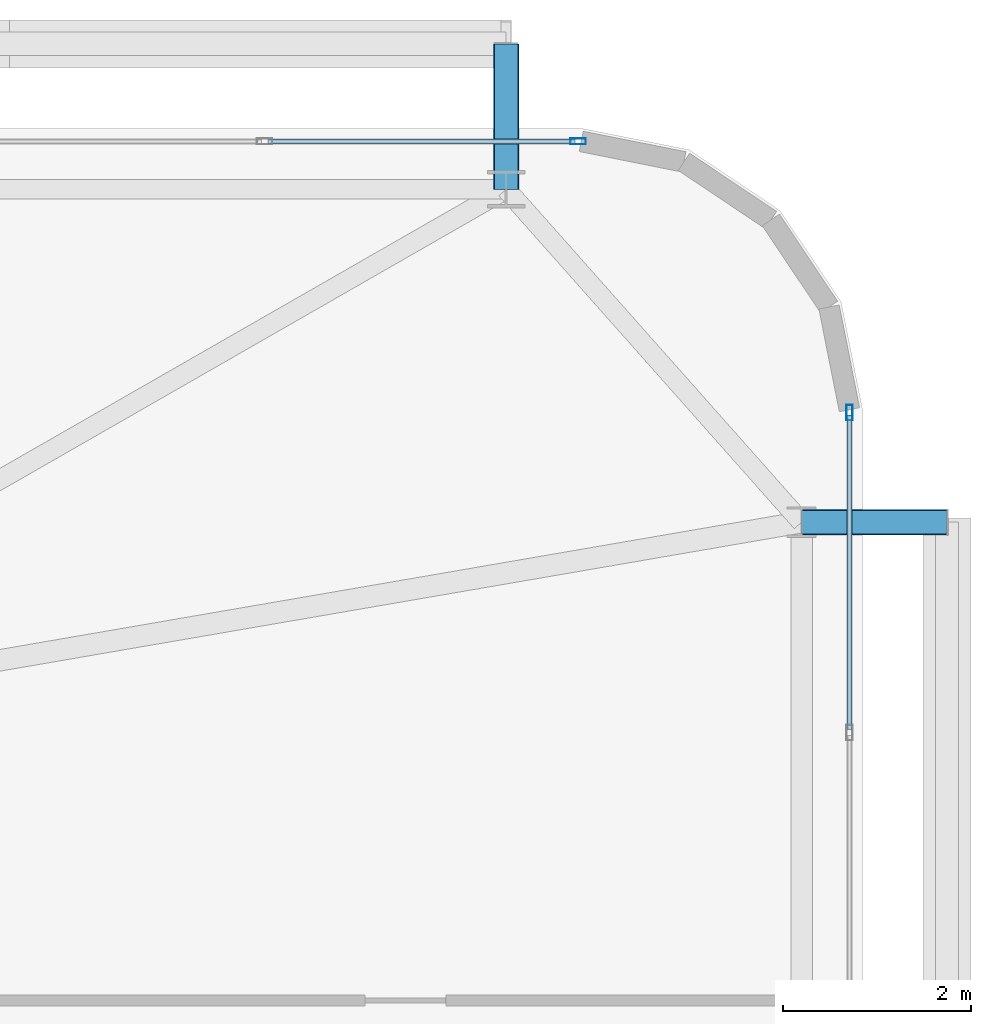
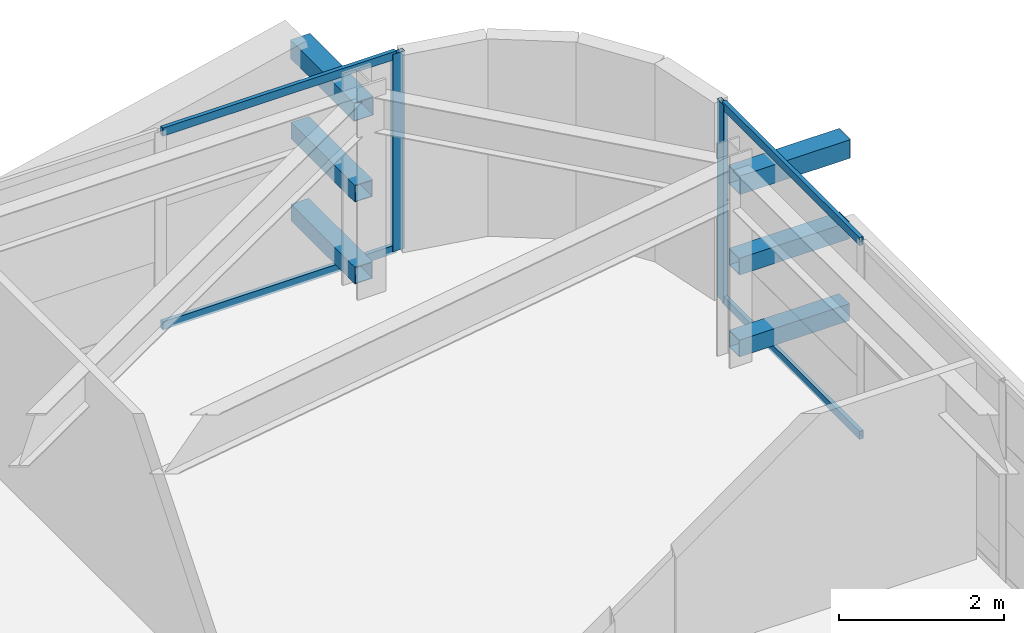
# One storey, part 41 of 59: 12 members, 2 elements without a shape of their own.
"""IFC4 building model written with IfcOpenShell, lengths in metres."""

import ifcopenshell
import ifcopenshell.guid

model = None  # the IFC model being written
_history = None  # IfcOwnerHistory: only IFC2X3 demands one
_inside = {}  # id of a spatial element -> (the spatial element, [elements in it])
_under = {}  # id of a project, library or spatial element -> (it, [spatial elements below it])
_declared = {}  # id of a project -> (the project, [libraries it declares])
_typed = {}  # id of a type object -> (the type object, [elements of that type])
_made_of = {}  # id of a material, layer set ... -> (it, [elements and type objects made of it])


def new_model(schema):
    """Start an empty IFC model of exactly this schema.

    Asked for "IFC4X3", IfcOpenShell would pick the latest addendum, in which some entities
    have other attributes; the version numbers below select the first issue.
    IFC2X3 requires an IfcOwnerHistory on every rooted entity: one is made here for all.
    """
    global model, _history
    if schema == "IFC4X3":
        model = ifcopenshell.file(schema_version=(4, 3, 0, 0))
    else:
        model = ifcopenshell.file(schema=schema)
    _inside.clear()
    _under.clear()
    _declared.clear()
    _typed.clear()
    _made_of.clear()
    _history = None
    if model.schema == "IFC2X3":
        org = make("IfcOrganization", Name="unknown")
        user = make(
            "IfcPersonAndOrganization",
            ThePerson=make("IfcPerson", FamilyName="unknown"),
            TheOrganization=org,
        )
        app = make(
            "IfcApplication",
            ApplicationDeveloper=org,
            Version="unknown",
            ApplicationFullName="unknown",
            ApplicationIdentifier="unknown",
        )
        _history = make(
            "IfcOwnerHistory",
            OwningUser=user,
            OwningApplication=app,
            ChangeAction="ADDED",
            CreationDate=0,
        )
    return model


def make(cls, **values):
    """One entity of the class cls with the attributes given. An attribute that is None is left unset."""
    return model.create_entity(
        cls, **{name: value for name, value in values.items() if value is not None}
    )


def rooted(cls, **values):
    """An entity with a GlobalId (a new one), such as an element, a storey or a relation."""
    return make(cls, GlobalId=ifcopenshell.guid.new(), OwnerHistory=_history, **values)


def si_unit(unit_type, name, prefix=None):
    """IfcSIUnit, for example si_unit("LENGTHUNIT", "METRE", prefix="MILLI")."""
    return make("IfcSIUnit", UnitType=unit_type, Prefix=prefix, Name=name)


def assignment(units):
    """IfcUnitAssignment: the units of a project."""
    return None if units is None else make("IfcUnitAssignment", Units=units)


def point(xyz):
    """IfcCartesianPoint."""
    return None if xyz is None else make("IfcCartesianPoint", Coordinates=xyz)


def direction(xyz):
    """IfcDirection."""
    return None if xyz is None else make("IfcDirection", DirectionRatios=xyz)


def frame(location, z_axis=None, x_axis=None):
    """IfcAxis2Placement3D, a coordinate frame: its origin and axes. An axis left out is left unset."""
    return make(
        "IfcAxis2Placement3D",
        Location=point(location),
        Axis=direction(z_axis),
        RefDirection=direction(x_axis),
    )


def frame_2d(location, x_axis=None):
    """IfcAxis2Placement2D, a coordinate frame in the plane: its origin and x axis."""
    return make(
        "IfcAxis2Placement2D", Location=point(location), RefDirection=direction(x_axis)
    )


def origin():
    """The frame at (0, 0, 0) with its axes left unset."""
    return frame((0.0, 0.0, 0.0))


def origin_2d():
    """The frame at (0, 0) in the plane with its x axis left unset."""
    return frame_2d((0.0, 0.0))


def place(relative_to, where):
    """IfcLocalPlacement: puts the frame where relative to a parent placement (None: the world)."""
    return make(
        "IfcLocalPlacement", PlacementRelTo=relative_to, RelativePlacement=where
    )


def context(
    kind, dimensions, precision=None, world=None, true_north=None, identifier=None
):
    """IfcGeometricRepresentationContext, for example the 3D "Model" context."""
    return make(
        "IfcGeometricRepresentationContext",
        ContextIdentifier=identifier,
        ContextType=kind,
        CoordinateSpaceDimension=dimensions,
        Precision=precision,
        WorldCoordinateSystem=world,
        TrueNorth=true_north,
    )


def subcontext(parent, identifier, kind, view, scale=None):
    """IfcGeometricRepresentationSubContext, for example "Body" below "Model"."""
    return make(
        "IfcGeometricRepresentationSubContext",
        ContextIdentifier=identifier,
        ContextType=kind,
        ParentContext=parent,
        TargetScale=scale,
        TargetView=view,
    )


def project(units=None, contexts=None):
    """IfcProject with its units and contexts."""
    return rooted(
        "IfcProject",
        Name="project",
        RepresentationContexts=contexts,
        UnitsInContext=assignment(units),
    )


def spatial(cls, under=None, at=None, **own):
    """A site, building, storey or space (cls), placed at a placement, below another one or the project."""
    s = rooted(cls, ObjectPlacement=at, **own)
    if under is not None:
        _under.setdefault(under.id(), (under, []))[1].append(s)
    return s


def profile(cls, at=None, kind="AREA", **sizes):
    """A parametric profile (cls). Its sizes go by their IFC names, for example OverallWidth=200.0."""
    return make(cls, ProfileType=kind, Position=at, **sizes)


def hollow_rectangle(**sizes):
    """IfcRectangleHollowProfileDef."""
    return profile("IfcRectangleHollowProfileDef", **sizes)


def extrude(swept, where, along, depth):
    """IfcExtrudedAreaSolid: the profile swept, set in the frame where, extruded along a direction by depth."""
    return make(
        "IfcExtrudedAreaSolid",
        SweptArea=swept,
        Position=where,
        ExtrudedDirection=direction(along),
        Depth=depth,
    )


def shape(context_of_items, identifier, shape_type, items):
    """IfcShapeRepresentation: the items that make up one representation, for example the "Body"."""
    return make(
        "IfcShapeRepresentation",
        ContextOfItems=context_of_items,
        RepresentationIdentifier=identifier,
        RepresentationType=shape_type,
        Items=items,
    )


def source(mapping_origin, context_of_items, identifier, shape_type, items):
    """IfcRepresentationMap: a shape defined once, which mapped items show again and again."""
    return make(
        "IfcRepresentationMap",
        MappingOrigin=mapping_origin,
        MappedRepresentation=shape(context_of_items, identifier, shape_type, items),
    )


def transform(
    local_origin,
    x_axis=None,
    y_axis=None,
    z_axis=None,
    scale=None,
    scale2=None,
    scale3=None,
    uniform=True,
):
    """IfcCartesianTransformationOperator3D, or its non-uniform kind. x_axis, y_axis, z_axis: its Axis1, 2, 3."""
    if uniform:
        return make(
            "IfcCartesianTransformationOperator3D",
            Axis1=direction(x_axis),
            Axis2=direction(y_axis),
            LocalOrigin=point(local_origin),
            Scale=scale,
            Axis3=direction(z_axis),
        )
    return make(
        "IfcCartesianTransformationOperator3DnonUniform",
        Axis1=direction(x_axis),
        Axis2=direction(y_axis),
        LocalOrigin=point(local_origin),
        Scale=scale,
        Axis3=direction(z_axis),
        Scale2=scale2,
        Scale3=scale3,
    )


def mapped(mapping_source, mapping_target):
    """IfcMappedItem: shows the shape of a source again, moved by a transform."""
    return make(
        "IfcMappedItem", MappingSource=mapping_source, MappingTarget=mapping_target
    )


def material(Name=None, Category=None):
    """IfcMaterial."""
    return make("IfcMaterial", Name=Name, Category=Category)


def layer(
    of_material, thickness, ventilated=None, Name=None, Category=None, Priority=None
):
    """IfcMaterialLayer: one layer of a wall or slab, of a material (None: an air gap)."""
    return make(
        "IfcMaterialLayer",
        Material=of_material,
        LayerThickness=thickness,
        IsVentilated=ventilated,
        Name=Name,
        Category=Category,
        Priority=Priority,
    )


def layer_set(layers, Name=None):
    """IfcMaterialLayerSet."""
    return make("IfcMaterialLayerSet", MaterialLayers=layers, LayerSetName=Name)


def material_profile(
    of_material, cross_section, Name=None, Category=None, Priority=None
):
    """IfcMaterialProfile: a cross section and its material."""
    return make(
        "IfcMaterialProfile",
        Name=Name,
        Material=of_material,
        Profile=cross_section,
        Priority=Priority,
        Category=Category,
    )


def profile_set(profiles, Name=None, composite=None):
    """IfcMaterialProfileSet."""
    return make(
        "IfcMaterialProfileSet",
        Name=Name,
        MaterialProfiles=profiles,
        CompositeProfile=composite,
    )


def made_of(thing, what):
    """Note that an element or type object is made of a material, layer set ...; save() writes the relation."""
    if what is not None:
        _made_of.setdefault(what.id(), (what, []))[1].append(thing)
    return thing


def type_object(cls, material=None, **own):
    """A type object (cls), such as IfcWallType, which elements share."""
    return made_of(rooted(cls, **own), material)


def element(
    cls,
    number,
    at=None,
    inside=None,
    cuts=None,
    type_object=None,
    material=None,
    context=None,
    identifier="Body",
    shape_type=None,
    held_by="IfcProductDefinitionShape",
    body=None,
    shapes=None,
    **own,
):
    """One element of the class cls, such as IfcWall. Its Tag is "e" and its number.

    at: its placement. inside: the storey or other place that contains it. cuts: it is an
    opening in that element (IfcRelVoidsElement). A single representation is given by context,
    identifier, shape_type and body (its items); several are given by shapes. held_by: the class
    of the entity that holds the representations. save() writes the other relations.
    """
    e = rooted(cls, Tag="e%d" % number, ObjectPlacement=at, **own)
    if body is not None:
        shapes = [shape(context, identifier, shape_type, body)]
    if shapes is not None:
        e.Representation = make(held_by, Representations=shapes)
    if inside is not None:
        _inside.setdefault(inside.id(), (inside, []))[1].append(e)
    if cuts is not None:
        rooted(
            "IfcRelVoidsElement", RelatingBuildingElement=cuts, RelatedOpeningElement=e
        )
    if type_object is not None:
        _typed.setdefault(type_object.id(), (type_object, []))[1].append(e)
    return made_of(e, material)


def aggregate(whole, parts):
    """IfcRelAggregates: a whole, such as a stair, and the parts it consists of."""
    return rooted("IfcRelAggregates", RelatingObject=whole, RelatedObjects=parts)


def save(model, path):
    """Write the relations noted so far, then the file.

    IfcRelAggregates (storeys below a building ...), IfcRelContainedInSpatialStructure (elements
    in a storey), IfcRelDefinesByType, IfcRelAssociatesMaterial and IfcRelDeclares: one each for
    every whole, place, type object, material and project.
    """
    for whole, parts in _under.values():
        aggregate(whole, parts)
    for where, things in _inside.values():
        rooted(
            "IfcRelContainedInSpatialStructure",
            RelatedElements=things,
            RelatingStructure=where,
        )
    for kind, things in _typed.values():
        rooted("IfcRelDefinesByType", RelatedObjects=things, RelatingType=kind)
    for what, things in _made_of.values():
        rooted("IfcRelAssociatesMaterial", RelatedObjects=things, RelatingMaterial=what)
    for by, libraries in _declared.values():
        rooted("IfcRelDeclares", RelatingContext=by, RelatedDefinitions=libraries)
    model.write(path)


model = new_model("IFC4")

# Units and contexts
model_context = context("Model", 3, precision=1e-05, world=origin(), true_north=direction((0.0, 1.0)))
body_context = subcontext(model_context, "Body", "Model", "MODEL_VIEW")
ifc_project = project(units=[si_unit("LENGTHUNIT", "METRE"), si_unit("AREAUNIT", "SQUARE_METRE"), si_unit("VOLUMEUNIT", "CUBIC_METRE"), si_unit("PLANEANGLEUNIT", "RADIAN"), si_unit("MASSUNIT", "GRAM", prefix="KILO")], contexts=[model_context])

# Site, building, storey
site_placement = place(None, origin())
site = spatial("IfcSite", under=ifc_project, at=site_placement, CompositionType="ELEMENT")
building_placement = place(site_placement, origin())
building = spatial("IfcBuilding", under=site, at=building_placement, Name="Taldren Reach Tower", CompositionType="ELEMENT")
storey_placement = place(building_placement, frame((0.0, 0.0, 29.39990234375)))
storey = spatial("IfcBuildingStorey", under=building, at=storey_placement, Name="L08", CompositionType="ELEMENT", Elevation=29.39990234375)

# Members
ifc_material_1 = material(Name="Steel Gr 450 (C450L0)", Category="steel")
ifc_material_profile_1 = material_profile(ifc_material_1, hollow_rectangle(XDim=0.27490234375, YDim=0.27490234375, WallThickness=0.00927734375, at=origin_2d()), Name="275x275x9.3SHS")
ifc_profile_set_1 = profile_set([ifc_material_profile_1], Name="Steel Gr 450 (C450L0)")
member_type_1 = type_object("IfcMemberType", Name="MB-TIE273", PredefinedType="STRUT", material=ifc_profile_set_1)
shared_shape_1 = source(origin(), body_context, "Body", "SweptSolid", [
    extrude(hollow_rectangle(XDim=0.27490234375, YDim=0.27490234375, WallThickness=0.00927734375, at=origin_2d()), origin(), (0.0, 0.0, 1.0), 1.5498046875),
])
for number, where, z_axis, x_axis, name in (
    (1, (61.199951171875, 37.85009765625, 2.650146484375), (0.0, 1.0, 0.0), (-1.0, 0.0, 0.0), "Exoskeleton diaphragm tie strut B1-N6 L08"),
    (2, (64.35009765625, 34.300048828125, 2.650146484375), (1.0, 0.0, 0.0), (0.0, 1.0, 0.0), "Exoskeleton diaphragm tie strut B1-E3 L08"),
):
    element("IfcMember", number, at=place(storey_placement, frame(where, z_axis=z_axis, x_axis=x_axis)), inside=storey, type_object=member_type_1, Name=name, PredefinedType="STRUT", context=body_context, shape_type="MappedRepresentation", body=[
        mapped(shared_shape_1, transform((0.0, 0.0, 0.0), scale=1.0)),
    ])
ifc_material_2 = material(Name="Steel Gr 350 (C350L0)", Category="steel")
ifc_material_profile_2 = material_profile(ifc_material_2, hollow_rectangle(XDim=0.25, YDim=0.25, WallThickness=0.010009765625, at=origin_2d()), Name="250x250x10.0SHS")
ifc_profile_set_2 = profile_set([ifc_material_profile_2], Name="Steel Gr 350 (C350L0)")
member_type_2 = type_object("IfcMemberType", Name="MB-POST250", PredefinedType="POST", material=ifc_profile_set_2)
shared_shape_2 = source(origin(), body_context, "Body", "SweptSolid", [
    extrude(hollow_rectangle(XDim=0.25, YDim=0.25, WallThickness=0.010009765625, at=origin_2d()), origin(), (0.0, 0.0, 1.0), 1.5498046875),
])
for number, where, z_axis, x_axis, name in (
    (3, (61.199951171875, 37.85009765625, 0.22021484375), (0.0, 1.0, 0.0), (-1.0, 0.0, 0.0), "Exoskeleton base diaphragm tie strut B1-N6 L08"),
    (4, (64.35009765625, 34.300048828125, 0.22021484375), (1.0, 0.0, 0.0), (0.0, 1.0, 0.0), "Exoskeleton base diaphragm tie strut B1-E3 L08"),
    (5, (61.199951171875, 37.85009765625, 1.43505859375), (0.0, 1.0, 0.0), (-1.0, 0.0, 0.0), "Exoskeleton mid-tier diaphragm tie B1-N6 L08"),
    (6, (64.35009765625, 34.300048828125, 1.43505859375), (1.0, 0.0, 0.0), (0.0, 1.0, 0.0), "Exoskeleton mid-tier diaphragm tie B1-E3 L08"),
):
    element("IfcMember", number, at=place(storey_placement, frame(where, z_axis=z_axis, x_axis=x_axis)), inside=storey, type_object=member_type_2, Name=name, PredefinedType="POST", context=body_context, shape_type="MappedRepresentation", body=[
        mapped(shared_shape_2, transform((0.0, 0.0, 0.0), scale=1.0)),
    ])

# Curtain wall, members
ifc_material_3 = material(Name="Aluminium and Low-E Glass Unitised System", Category="aluminium")
ifc_layer = layer(ifc_material_3, 0.159912109375)
ifc_layer_set = layer_set([ifc_layer], Name="Aluminium and Low-E Glass Unitised System")
curtain_wall_type = type_object("IfcCurtainWallType", Name="CW-SYS-2", PredefinedType="NOTDEFINED", material=ifc_layer_set)
curtain_wall_1_placement = place(storey_placement, origin())
curtain_wall_1 = element("IfcCurtainWall", 7, at=curtain_wall_1_placement, inside=storey, type_object=curtain_wall_type, Name="Unitised curtain wall CW-L08-N", PredefinedType="NOTDEFINED")
ifc_material_4 = material(Name="Anodised Aluminium 6063-T6", Category="aluminium")
ifc_material_profile_3 = material_profile(ifc_material_4, hollow_rectangle(XDim=0.054931640625, YDim=0.1201171875, WallThickness=0.0029296875, at=origin_2d()), Name="ALU-120x55x3RHS")
ifc_profile_set_3 = profile_set([ifc_material_profile_3], Name="Anodised Aluminium 6063-T6")
member_type_3 = type_object("IfcMemberType", Name="CW-TRN-135", PredefinedType="USERDEFINED", material=ifc_profile_set_3)
shared_shape_3 = source(origin(), body_context, "Body", "SweptSolid", [
    extrude(hollow_rectangle(XDim=0.054931640625, YDim=0.1201171875, WallThickness=0.0029296875, at=origin_2d()), origin(), (0.0, 0.0, 1.0), 3.277587890625),
])
member_1_placement = place(storey_placement, frame((61.93505859375, 38.360107421875, 0.027587890625), z_axis=(-1.0, 0.0, 0.0), x_axis=(0.0, -1.0, 0.0)))
member_1 = element("IfcMember", 8, at=member_1_placement, type_object=member_type_3, Name="CW-2 transom 1.1", ObjectType="TRANSOM", PredefinedType="USERDEFINED", context=body_context, shape_type="MappedRepresentation", body=[
    mapped(shared_shape_3, transform((0.0, 0.0, 0.0), scale=1.0)),
])
member_2_placement = place(storey_placement, frame((61.93505859375, 38.360107421875, 2.902587890625), z_axis=(-1.0, 0.0, 0.0), x_axis=(0.0, -1.0, 0.0)))
member_2 = element("IfcMember", 9, at=member_2_placement, type_object=member_type_3, Name="CW-2 transom 1.2", ObjectType="TRANSOM", PredefinedType="USERDEFINED", context=body_context, shape_type="MappedRepresentation", body=[
    mapped(shared_shape_3, transform((0.0, 0.0, 0.0), scale=1.0)),
])

curtain_wall_2_placement = place(storey_placement, origin())
curtain_wall_2 = element("IfcCurtainWall", 10, at=curtain_wall_2_placement, inside=storey, type_object=curtain_wall_type, Name="Unitised curtain wall CW-L08-E", PredefinedType="NOTDEFINED")
shared_shape_4 = source(origin(), body_context, "Body", "SweptSolid", [
    extrude(hollow_rectangle(XDim=0.054931640625, YDim=0.1201171875, WallThickness=0.0029296875, at=origin_2d()), origin(), (0.0, 0.0, 1.0), 3.346923828125),
])
member_3_placement = place(storey_placement, frame((64.860107421875, 32.088134765625, 0.027587890625), z_axis=(0.0, 1.0, 0.0), x_axis=(-1.0, 0.0, 0.0)))
member_3 = element("IfcMember", 11, at=member_3_placement, type_object=member_type_3, Name="CW-2 transom 9.1", ObjectType="TRANSOM", PredefinedType="USERDEFINED", context=body_context, shape_type="MappedRepresentation", body=[
    mapped(shared_shape_4, transform((0.0, 0.0, 0.0), scale=1.0)),
])
member_4_placement = place(storey_placement, frame((64.860107421875, 32.088134765625, 2.902587890625), z_axis=(0.0, 1.0, 0.0), x_axis=(-1.0, 0.0, 0.0)))
member_4 = element("IfcMember", 12, at=member_4_placement, type_object=member_type_3, Name="CW-2 transom 9.2", ObjectType="TRANSOM", PredefinedType="USERDEFINED", context=body_context, shape_type="MappedRepresentation", body=[
    mapped(shared_shape_4, transform((0.0, 0.0, 0.0), scale=1.0)),
])

# Member
ifc_material_profile_4 = material_profile(ifc_material_4, hollow_rectangle(XDim=0.06494140625, YDim=0.1650390625, WallThickness=0.00390625, at=origin_2d()), Name="ALU-165x65x4RHS")
ifc_profile_set_4 = profile_set([ifc_material_profile_4], Name="Anodised Aluminium 6063-T6")
member_type_4 = type_object("IfcMemberType", Name="CW-MUL-165", PredefinedType="MULLION", material=ifc_profile_set_4)
shared_shape_5 = source(origin(), body_context, "Body", "SweptSolid", [
    extrude(hollow_rectangle(XDim=0.06494140625, YDim=0.1650390625, WallThickness=0.00390625, at=origin_2d()), origin(), (0.0, 0.0, 1.0), 2.93017578125),
])
member_5_placement = place(storey_placement, frame((61.967529296875, 38.360107421875, 0.0), z_axis=(0.0, 0.0, 1.0), x_axis=(0.0, -1.0, 0.0)))
member_5 = element("IfcMember", 13, at=member_5_placement, type_object=member_type_4, Name="CW-2 mullion 1", PredefinedType="MULLION", context=body_context, shape_type="MappedRepresentation", body=[
    mapped(shared_shape_5, transform((0.0, 0.0, 0.0), scale=1.0)),
])

aggregate(curtain_wall_1, [member_5, member_1, member_2])

member_6_placement = place(storey_placement, frame((64.860107421875, 35.467529296875, 0.0), z_axis=(0.0, 0.0, 1.0), x_axis=(-1.0, 0.0, 0.0)))
member_6 = element("IfcMember", 14, at=member_6_placement, type_object=member_type_4, Name="CW-2 mullion 10", PredefinedType="MULLION", context=body_context, shape_type="MappedRepresentation", body=[
    mapped(shared_shape_5, transform((0.0, 0.0, 0.0), scale=1.0)),
])

aggregate(curtain_wall_2, [member_6, member_3, member_4])

save(model, "model.ifc")
